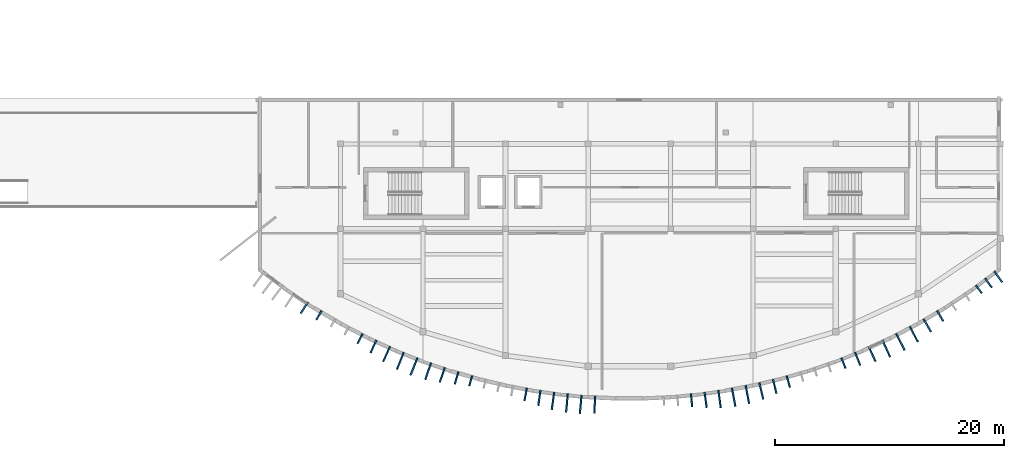
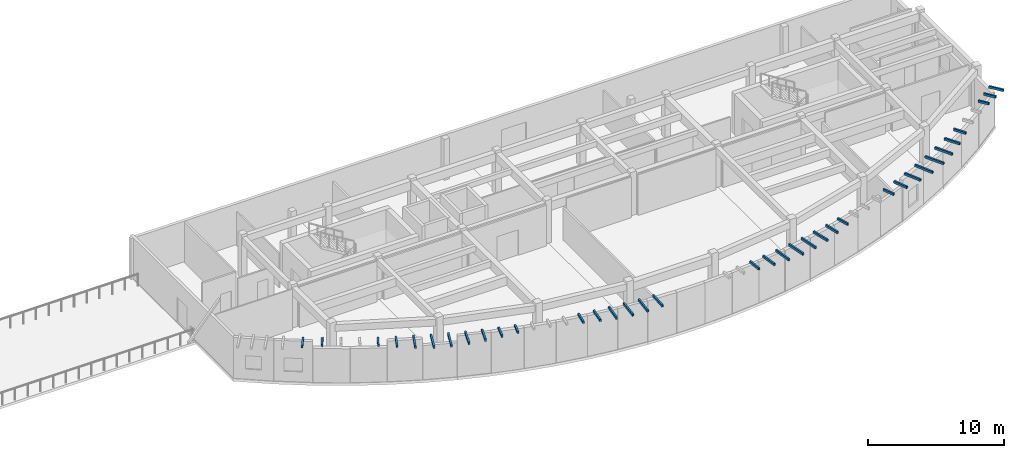
# One storey, part 26 of 32: 36 discrete accessories.
"""IFC4 building model written with IfcOpenShell, lengths in metres."""

from ifc_helpers import new_model, si_unit, direction, frame, origin, origin_2d, place, context, subcontext, project, spatial, rectangle, extrude, material, type_object, element, save


model = new_model("IFC4")

# Units and contexts
model_context = context("Model", 3, precision=1e-05, world=origin(), true_north=direction((0.0, 1.0)))
body_context = subcontext(model_context, "Body", "Model", "MODEL_VIEW")
ifc_project = project(units=[si_unit("LENGTHUNIT", "METRE"), si_unit("AREAUNIT", "SQUARE_METRE"), si_unit("VOLUMEUNIT", "CUBIC_METRE"), si_unit("PLANEANGLEUNIT", "RADIAN"), si_unit("MASSUNIT", "GRAM", prefix="KILO")], contexts=[model_context])

# Site, building, storey
site_placement = place(None, origin())
site = spatial("IfcSite", under=ifc_project, at=site_placement, CompositionType="ELEMENT")
building_placement = place(site_placement, origin())
building = spatial("IfcBuilding", under=site, at=building_placement, Name="Brisavento Harbour Community Centre", CompositionType="ELEMENT")
storey_placement = place(building_placement, frame((0.0, 0.0, 12.89990234375)))
storey = spatial("IfcBuildingStorey", under=building, at=storey_placement, Name="L03", CompositionType="ELEMENT", Elevation=12.89990234375)

# Discrete accessories
ifc_material = material(Name="Stainless steel 1.4401", Category="steel")
discrete_accessory_type = type_object("IfcDiscreteAccessoryType", Name="BRK-FIN-SS", PredefinedType="BRACKET", material=ifc_material)
discrete_accessory_1_placement = place(storey_placement, frame((112.048583984375, 8.100830078125, 3.68017578125), z_axis=(0.0, 0.0, 1.0), x_axis=(-0.554060082852, -0.832476681109, 0.0)))
element("IfcDiscreteAccessory", 1, at=discrete_accessory_1_placement, inside=storey, type_object=discrete_accessory_type, Name="Stainless-steel storm-fin bracket 097.5", PredefinedType="BRACKET", context=body_context, shape_type="SweptSolid", body=[
    extrude(rectangle(XDim=1.146728515625, YDim=0.139892578125, at=origin_2d()), origin(), (0.0, 0.0, 1.0), 0.199951171875),
])
discrete_accessory_2_placement = place(storey_placement, frame((113.3203125, 7.4404296875, 3.68017578125), z_axis=(0.0, 0.0, 1.0), x_axis=(-0.507869167385, -0.861434216188, 0.0)))
element("IfcDiscreteAccessory", 2, at=discrete_accessory_2_placement, inside=storey, type_object=discrete_accessory_type, Name="Stainless-steel storm-fin bracket 098.5", PredefinedType="BRACKET", context=body_context, shape_type="SweptSolid", body=[
    extrude(rectangle(XDim=0.913330078125, YDim=0.139892578125, at=origin_2d()), origin(), (0.0, 0.0, 1.0), 0.199951171875),
])
discrete_accessory_3_placement = place(storey_placement, frame((116.914794921875, 5.41357421875, 3.68017578125), z_axis=(0.0, 0.0, 1.0), x_axis=(-0.461702168823, -0.887035009063, 0.0)))
element("IfcDiscreteAccessory", 3, at=discrete_accessory_3_placement, inside=storey, type_object=discrete_accessory_type, Name="Stainless-steel storm-fin bracket 101.5", PredefinedType="BRACKET", context=body_context, shape_type="SweptSolid", body=[
    extrude(rectangle(XDim=0.968994140625, YDim=0.139892578125, at=origin_2d()), origin(), (0.0, 0.0, 1.0), 0.199951171875),
])
discrete_accessory_4_placement = place(storey_placement, frame((118.07470703125, 4.716796875, 3.68017578125), z_axis=(0.0, 0.0, 1.0), x_axis=(-0.415518926407, -0.909584532519, 0.0)))
element("IfcDiscreteAccessory", 4, at=discrete_accessory_4_placement, inside=storey, type_object=discrete_accessory_type, Name="Stainless-steel storm-fin bracket 102.5", PredefinedType="BRACKET", context=body_context, shape_type="SweptSolid", body=[
    extrude(rectangle(XDim=1.20263671875, YDim=0.139892578125, at=origin_2d()), origin(), (0.0, 0.0, 1.0), 0.199951171875),
])
discrete_accessory_5_placement = place(storey_placement, frame((119.2265625, 4.063232421875, 3.68017578125), z_axis=(0.0, 0.0, 1.0), x_axis=(-0.415518926407, -0.909584532519, 0.0)))
element("IfcDiscreteAccessory", 5, at=discrete_accessory_5_placement, inside=storey, type_object=discrete_accessory_type, Name="Stainless-steel storm-fin bracket 103.5", PredefinedType="BRACKET", context=body_context, shape_type="SweptSolid", body=[
    extrude(rectangle(XDim=1.434326171875, YDim=0.139892578125, at=origin_2d()), origin(), (0.0, 0.0, 1.0), 0.199951171875),
])
discrete_accessory_6_placement = place(storey_placement, frame((120.4169921875, 3.4697265625, 3.68017578125), z_axis=(0.0, 0.0, 1.0), x_axis=(-0.369341311525, -0.92929381554, 0.0)))
element("IfcDiscreteAccessory", 6, at=discrete_accessory_6_placement, inside=storey, type_object=discrete_accessory_type, Name="Stainless-steel storm-fin bracket 104.5", PredefinedType="BRACKET", context=body_context, shape_type="SweptSolid", body=[
    extrude(rectangle(XDim=1.59130859375, YDim=0.139892578125, at=origin_2d()), origin(), (0.0, 0.0, 1.0), 0.199951171875),
])
discrete_accessory_7_placement = place(storey_placement, frame((121.6103515625, 2.976318359375, 3.68017578125), z_axis=(0.0, 0.0, 1.0), x_axis=(-0.369341311525, -0.92929381554, 0.0)))
element("IfcDiscreteAccessory", 7, at=discrete_accessory_7_placement, inside=storey, type_object=discrete_accessory_type, Name="Stainless-steel storm-fin bracket 105.5", PredefinedType="BRACKET", context=body_context, shape_type="SweptSolid", body=[
    extrude(rectangle(XDim=1.626220703125, YDim=0.139892578125, at=origin_2d()), origin(), (0.0, 0.0, 1.0), 0.199951171875),
])
discrete_accessory_8_placement = place(storey_placement, frame((122.849365234375, 2.568603515625, 3.68017578125), z_axis=(0.0, 0.0, 1.0), x_axis=(-0.323174264667, -0.94633947115, 0.0)))
element("IfcDiscreteAccessory", 8, at=discrete_accessory_8_placement, inside=storey, type_object=discrete_accessory_type, Name="Stainless-steel storm-fin bracket 106.5", PredefinedType="BRACKET", context=body_context, shape_type="SweptSolid", body=[
    extrude(rectangle(XDim=1.53271484375, YDim=0.139892578125, at=origin_2d()), origin(), (0.0, 0.0, 1.0), 0.199951171875),
])
discrete_accessory_9_placement = place(storey_placement, frame((124.080078125, 2.249267578125, 3.68017578125), z_axis=(0.0, 0.0, 1.0), x_axis=(-0.323174264667, -0.94633947115, 0.0)))
element("IfcDiscreteAccessory", 9, at=discrete_accessory_9_placement, inside=storey, type_object=discrete_accessory_type, Name="Stainless-steel storm-fin bracket 107.5", PredefinedType="BRACKET", context=body_context, shape_type="SweptSolid", body=[
    extrude(rectangle(XDim=1.341552734375, YDim=0.139892578125, at=origin_2d()), origin(), (0.0, 0.0, 1.0), 0.199951171875),
])
discrete_accessory_10_placement = place(storey_placement, frame((125.3291015625, 1.9765625, 3.68017578125), z_axis=(0.0, 0.0, 1.0), x_axis=(-0.276996031628, -0.96087106235, 0.0)))
element("IfcDiscreteAccessory", 10, at=discrete_accessory_10_placement, inside=storey, type_object=discrete_accessory_type, Name="Stainless-steel storm-fin bracket 108.5", PredefinedType="BRACKET", context=body_context, shape_type="SweptSolid", body=[
    extrude(rectangle(XDim=1.111328125, YDim=0.139892578125, at=origin_2d()), origin(), (0.0, 0.0, 1.0), 0.199951171875),
])
discrete_accessory_11_placement = place(storey_placement, frame((126.55712890625, 1.727294921875, 3.68017578125), z_axis=(0.0, 0.0, 1.0), x_axis=(-0.276996031628, -0.96087106235, 0.0)))
element("IfcDiscreteAccessory", 11, at=discrete_accessory_11_placement, inside=storey, type_object=discrete_accessory_type, Name="Stainless-steel storm-fin bracket 109.5", PredefinedType="BRACKET", context=body_context, shape_type="SweptSolid", body=[
    extrude(rectangle(XDim=0.909912109375, YDim=0.139892578125, at=origin_2d()), origin(), (0.0, 0.0, 1.0), 0.199951171875),
])
discrete_accessory_12_placement = place(storey_placement, frame((131.35302734375, 0.545166015625, 3.68017578125), z_axis=(0.0, 0.0, 1.0), x_axis=(-0.184671830369, -0.982800241691, 0.0)))
element("IfcDiscreteAccessory", 12, at=discrete_accessory_12_placement, inside=storey, type_object=discrete_accessory_type, Name="Stainless-steel storm-fin bracket 113.5", PredefinedType="BRACKET", context=body_context, shape_type="SweptSolid", body=[
    extrude(rectangle(XDim=1.109619140625, YDim=0.139892578125, at=origin_2d()), origin(), (0.0, 0.0, 1.0), 0.199951171875),
])
discrete_accessory_13_placement = place(storey_placement, frame((132.54931640625, 0.236328125, 3.68017578125), z_axis=(0.0, 0.0, 1.0), x_axis=(-0.138499014678, -0.990362571452, 0.0)))
element("IfcDiscreteAccessory", 13, at=discrete_accessory_13_placement, inside=storey, type_object=discrete_accessory_type, Name="Stainless-steel storm-fin bracket 114.5", PredefinedType="BRACKET", context=body_context, shape_type="SweptSolid", body=[
    extrude(rectangle(XDim=1.332275390625, YDim=0.139892578125, at=origin_2d()), origin(), (0.0, 0.0, 1.0), 0.199951171875),
])
discrete_accessory_14_placement = place(storey_placement, frame((133.736328125, -0.024169921875, 3.68017578125), z_axis=(0.0, 0.0, 1.0), x_axis=(-0.138499014678, -0.990362571452, 0.0)))
element("IfcDiscreteAccessory", 14, at=discrete_accessory_14_placement, inside=storey, type_object=discrete_accessory_type, Name="Stainless-steel storm-fin bracket 115.5", PredefinedType="BRACKET", context=body_context, shape_type="SweptSolid", body=[
    extrude(rectangle(XDim=1.51953125, YDim=0.139892578125, at=origin_2d()), origin(), (0.0, 0.0, 1.0), 0.199951171875),
])
discrete_accessory_15_placement = place(storey_placement, frame((134.952880859375, -0.21630859375, 3.68017578125), z_axis=(0.0, 0.0, 1.0), x_axis=(-0.092335830041, -0.99572792192, 0.0)))
element("IfcDiscreteAccessory", 15, at=discrete_accessory_15_placement, inside=storey, type_object=discrete_accessory_type, Name="Stainless-steel storm-fin bracket 116.5", PredefinedType="BRACKET", context=body_context, shape_type="SweptSolid", body=[
    extrude(rectangle(XDim=1.62060546875, YDim=0.139892578125, at=origin_2d()), origin(), (0.0, 0.0, 1.0), 0.199951171875),
])
discrete_accessory_16_placement = place(storey_placement, frame((136.1533203125, -0.322021484375, 3.68017578125), z_axis=(0.0, 0.0, 1.0), x_axis=(-0.092335830041, -0.99572792192, 0.0)))
element("IfcDiscreteAccessory", 16, at=discrete_accessory_16_placement, inside=storey, type_object=discrete_accessory_type, Name="Stainless-steel storm-fin bracket 117.5", PredefinedType="BRACKET", context=body_context, shape_type="SweptSolid", body=[
    extrude(rectangle(XDim=1.609130859375, YDim=0.139892578125, at=origin_2d()), origin(), (0.0, 0.0, 1.0), 0.199951171875),
])
discrete_accessory_17_placement = place(storey_placement, frame((137.37939453125, -0.3466796875, 3.68017578125), z_axis=(0.0, 0.0, 1.0), x_axis=(-0.0461649984, -0.9989338281, 0.0)))
element("IfcDiscreteAccessory", 17, at=discrete_accessory_17_placement, inside=storey, type_object=discrete_accessory_type, Name="Stainless-steel storm-fin bracket 118.5", PredefinedType="BRACKET", context=body_context, shape_type="SweptSolid", body=[
    extrude(rectangle(XDim=1.488525390625, YDim=0.139892578125, at=origin_2d()), origin(), (0.0, 0.0, 1.0), 0.199951171875),
])
discrete_accessory_18_placement = place(storey_placement, frame((145.823974609375, 0.032958984375, 3.68017578125), z_axis=(0.0, 0.0, 1.0), x_axis=(0.092335830041, -0.99572792192, 0.0)))
element("IfcDiscreteAccessory", 18, at=discrete_accessory_18_placement, inside=storey, type_object=discrete_accessory_type, Name="Stainless-steel storm-fin bracket 121.5", PredefinedType="BRACKET", context=body_context, shape_type="SweptSolid", body=[
    extrude(rectangle(XDim=1.119873046875, YDim=0.139892578125, at=origin_2d()), origin(), (0.0, 0.0, 1.0), 0.199951171875),
])
discrete_accessory_19_placement = place(storey_placement, frame((147.05126953125, 0.064208984375, 3.68017578125), z_axis=(0.0, 0.0, 1.0), x_axis=(0.138499014678, -0.990362571452, 0.0)))
element("IfcDiscreteAccessory", 19, at=discrete_accessory_19_placement, inside=storey, type_object=discrete_accessory_type, Name="Stainless-steel storm-fin bracket 122.5", PredefinedType="BRACKET", context=body_context, shape_type="SweptSolid", body=[
    extrude(rectangle(XDim=1.3408203125, YDim=0.139892578125, at=origin_2d()), origin(), (0.0, 0.0, 1.0), 0.199951171875),
])
discrete_accessory_20_placement = place(storey_placement, frame((148.26416015625, 0.140625, 3.68017578125), z_axis=(0.0, 0.0, 1.0), x_axis=(0.138499014678, -0.990362571452, 0.0)))
element("IfcDiscreteAccessory", 20, at=discrete_accessory_20_placement, inside=storey, type_object=discrete_accessory_type, Name="Stainless-steel storm-fin bracket 123.5", PredefinedType="BRACKET", context=body_context, shape_type="SweptSolid", body=[
    extrude(rectangle(XDim=1.525390625, YDim=0.139892578125, at=origin_2d()), origin(), (0.0, 0.0, 1.0), 0.199951171875),
])
discrete_accessory_21_placement = place(storey_placement, frame((149.494384765625, 0.293212890625, 3.68017578125), z_axis=(0.0, 0.0, 1.0), x_axis=(0.184671830369, -0.982800241691, 0.0)))
element("IfcDiscreteAccessory", 21, at=discrete_accessory_21_placement, inside=storey, type_object=discrete_accessory_type, Name="Stainless-steel storm-fin bracket 124.5", PredefinedType="BRACKET", context=body_context, shape_type="SweptSolid", body=[
    extrude(rectangle(XDim=1.622802734375, YDim=0.139892578125, at=origin_2d()), origin(), (0.0, 0.0, 1.0), 0.199951171875),
])
discrete_accessory_22_placement = place(storey_placement, frame((150.69287109375, 0.527587890625, 3.68017578125), z_axis=(0.0, 0.0, 1.0), x_axis=(0.184671830369, -0.982800241691, 0.0)))
element("IfcDiscreteAccessory", 22, at=discrete_accessory_22_placement, inside=storey, type_object=discrete_accessory_type, Name="Stainless-steel storm-fin bracket 125.5", PredefinedType="BRACKET", context=body_context, shape_type="SweptSolid", body=[
    extrude(rectangle(XDim=1.604736328125, YDim=0.139892578125, at=origin_2d()), origin(), (0.0, 0.0, 1.0), 0.199951171875),
])
discrete_accessory_23_placement = place(storey_placement, frame((151.90087890625, 0.8505859375, 3.68017578125), z_axis=(0.0, 0.0, 1.0), x_axis=(0.230830981037, -0.972993863389, 0.0)))
element("IfcDiscreteAccessory", 23, at=discrete_accessory_23_placement, inside=storey, type_object=discrete_accessory_type, Name="Stainless-steel storm-fin bracket 126.5", PredefinedType="BRACKET", context=body_context, shape_type="SweptSolid", body=[
    extrude(rectangle(XDim=1.47509765625, YDim=0.139892578125, at=origin_2d()), origin(), (0.0, 0.0, 1.0), 0.199951171875),
])
discrete_accessory_24_placement = place(storey_placement, frame((153.0771484375, 1.235595703125, 3.68017578125), z_axis=(0.0, 0.0, 1.0), x_axis=(0.230830981037, -0.972993863389, 0.0)))
element("IfcDiscreteAccessory", 24, at=discrete_accessory_24_placement, inside=storey, type_object=discrete_accessory_type, Name="Stainless-steel storm-fin bracket 127.5", PredefinedType="BRACKET", context=body_context, shape_type="SweptSolid", body=[
    extrude(rectangle(XDim=1.2685546875, YDim=0.139892578125, at=origin_2d()), origin(), (0.0, 0.0, 1.0), 0.199951171875),
])
discrete_accessory_25_placement = place(storey_placement, frame((154.26123046875, 1.66357421875, 3.68017578125), z_axis=(0.0, 0.0, 1.0), x_axis=(0.276996031628, -0.96087106235, 0.0)))
element("IfcDiscreteAccessory", 25, at=discrete_accessory_25_placement, inside=storey, type_object=discrete_accessory_type, Name="Stainless-steel storm-fin bracket 128.5", PredefinedType="BRACKET", context=body_context, shape_type="SweptSolid", body=[
    extrude(rectangle(XDim=1.04296875, YDim=0.139892578125, at=origin_2d()), origin(), (0.0, 0.0, 1.0), 0.199951171875),
])
discrete_accessory_26_placement = place(storey_placement, frame((159.071044921875, 3.2744140625, 3.68017578125), z_axis=(0.0, 0.0, 1.0), x_axis=(0.369341311525, -0.92929381554, 0.0)))
element("IfcDiscreteAccessory", 26, at=discrete_accessory_26_placement, inside=storey, type_object=discrete_accessory_type, Name="Stainless-steel storm-fin bracket 132.5", PredefinedType="BRACKET", context=body_context, shape_type="SweptSolid", body=[
    extrude(rectangle(XDim=0.98486328125, YDim=0.139892578125, at=origin_2d()), origin(), (0.0, 0.0, 1.0), 0.199951171875),
])
discrete_accessory_27_placement = place(storey_placement, frame((160.313232421875, 3.645263671875, 3.68017578125), z_axis=(0.0, 0.0, 1.0), x_axis=(0.369341311525, -0.92929381554, 0.0)))
element("IfcDiscreteAccessory", 27, at=discrete_accessory_27_placement, inside=storey, type_object=discrete_accessory_type, Name="Stainless-steel storm-fin bracket 133.5", PredefinedType="BRACKET", context=body_context, shape_type="SweptSolid", body=[
    extrude(rectangle(XDim=1.212890625, YDim=0.139892578125, at=origin_2d()), origin(), (0.0, 0.0, 1.0), 0.199951171875),
])
discrete_accessory_28_placement = place(storey_placement, frame((161.57470703125, 4.060302734375, 3.68017578125), z_axis=(0.0, 0.0, 1.0), x_axis=(0.415518926407, -0.909584532519, 0.0)))
element("IfcDiscreteAccessory", 28, at=discrete_accessory_28_placement, inside=storey, type_object=discrete_accessory_type, Name="Stainless-steel storm-fin bracket 134.5", PredefinedType="BRACKET", context=body_context, shape_type="SweptSolid", body=[
    extrude(rectangle(XDim=1.44091796875, YDim=0.139892578125, at=origin_2d()), origin(), (0.0, 0.0, 1.0), 0.199951171875),
])
discrete_accessory_29_placement = place(storey_placement, frame((162.806884765625, 4.538330078125, 3.68017578125), z_axis=(0.0, 0.0, 1.0), x_axis=(0.415518926407, -0.909584532519, 0.0)))
element("IfcDiscreteAccessory", 29, at=discrete_accessory_29_placement, inside=storey, type_object=discrete_accessory_type, Name="Stainless-steel storm-fin bracket 135.5", PredefinedType="BRACKET", context=body_context, shape_type="SweptSolid", body=[
    extrude(rectangle(XDim=1.59521484375, YDim=0.139892578125, at=origin_2d()), origin(), (0.0, 0.0, 1.0), 0.199951171875),
])
discrete_accessory_30_placement = place(storey_placement, frame((164.036376953125, 5.123291015625, 3.68017578125), z_axis=(0.0, 0.0, 1.0), x_axis=(0.461702168823, -0.887035009063, 0.0)))
element("IfcDiscreteAccessory", 30, at=discrete_accessory_30_placement, inside=storey, type_object=discrete_accessory_type, Name="Stainless-steel storm-fin bracket 136.5", PredefinedType="BRACKET", context=body_context, shape_type="SweptSolid", body=[
    extrude(rectangle(XDim=1.623291015625, YDim=0.139892578125, at=origin_2d()), origin(), (0.0, 0.0, 1.0), 0.199951171875),
])
discrete_accessory_31_placement = place(storey_placement, frame((165.210205078125, 5.7978515625, 3.68017578125), z_axis=(0.0, 0.0, 1.0), x_axis=(0.461702168823, -0.887035009063, 0.0)))
element("IfcDiscreteAccessory", 31, at=discrete_accessory_31_placement, inside=storey, type_object=discrete_accessory_type, Name="Stainless-steel storm-fin bracket 137.5", PredefinedType="BRACKET", context=body_context, shape_type="SweptSolid", body=[
    extrude(rectangle(XDim=1.510986328125, YDim=0.139892578125, at=origin_2d()), origin(), (0.0, 0.0, 1.0), 0.199951171875),
])
discrete_accessory_32_placement = place(storey_placement, frame((166.375732421875, 6.570068359375, 3.68017578125), z_axis=(0.0, 0.0, 1.0), x_axis=(0.507869167385, -0.861434216188, 0.0)))
element("IfcDiscreteAccessory", 32, at=discrete_accessory_32_placement, inside=storey, type_object=discrete_accessory_type, Name="Stainless-steel storm-fin bracket 138.5", PredefinedType="BRACKET", context=body_context, shape_type="SweptSolid", body=[
    extrude(rectangle(XDim=1.29150390625, YDim=0.139892578125, at=origin_2d()), origin(), (0.0, 0.0, 1.0), 0.199951171875),
])
discrete_accessory_33_placement = place(storey_placement, frame((167.51123046875, 7.386474609375, 3.68017578125), z_axis=(0.0, 0.0, 1.0), x_axis=(0.507869167385, -0.861434216188, 0.0)))
element("IfcDiscreteAccessory", 33, at=discrete_accessory_33_placement, inside=storey, type_object=discrete_accessory_type, Name="Stainless-steel storm-fin bracket 139.5", PredefinedType="BRACKET", context=body_context, shape_type="SweptSolid", body=[
    extrude(rectangle(XDim=1.03857421875, YDim=0.139892578125, at=origin_2d()), origin(), (0.0, 0.0, 1.0), 0.199951171875),
])
discrete_accessory_34_placement = place(storey_placement, frame((170.877197265625, 9.723876953125, 3.68017578125), z_axis=(0.0, 0.0, 1.0), x_axis=(0.600252726595, -0.799810392665, 0.0)))
element("IfcDiscreteAccessory", 34, at=discrete_accessory_34_placement, inside=storey, type_object=discrete_accessory_type, Name="Stainless-steel storm-fin bracket 142.5", PredefinedType="BRACKET", context=body_context, shape_type="SweptSolid", body=[
    extrude(rectangle(XDim=0.857177734375, YDim=0.139892578125, at=origin_2d()), origin(), (0.0, 0.0, 1.0), 0.199951171875),
])
discrete_accessory_35_placement = place(storey_placement, frame((171.718017578125, 10.27001953125, 3.68017578125), z_axis=(0.0, 0.0, 1.0), x_axis=(0.600252726595, -0.799810392665, 0.0)))
element("IfcDiscreteAccessory", 35, at=discrete_accessory_35_placement, inside=storey, type_object=discrete_accessory_type, Name="Stainless-steel storm-fin bracket 143.5", PredefinedType="BRACKET", context=body_context, shape_type="SweptSolid", body=[
    extrude(rectangle(XDim=0.992919921875, YDim=0.139892578125, at=origin_2d()), origin(), (0.0, 0.0, 1.0), 0.199951171875),
])
discrete_accessory_36_placement = place(storey_placement, frame((172.570556640625, 10.800048828125, 3.68017578125), z_axis=(0.0, 0.0, 1.0), x_axis=(0.600252726595, -0.799810392665, 0.0)))
element("IfcDiscreteAccessory", 36, at=discrete_accessory_36_placement, inside=storey, type_object=discrete_accessory_type, Name="Stainless-steel storm-fin bracket 144.5", PredefinedType="BRACKET", context=body_context, shape_type="SweptSolid", body=[
    extrude(rectangle(XDim=1.16845703125, YDim=0.139892578125, at=origin_2d()), origin(), (0.0, 0.0, 1.0), 0.199951171875),
])

save(model, "model.ifc")
